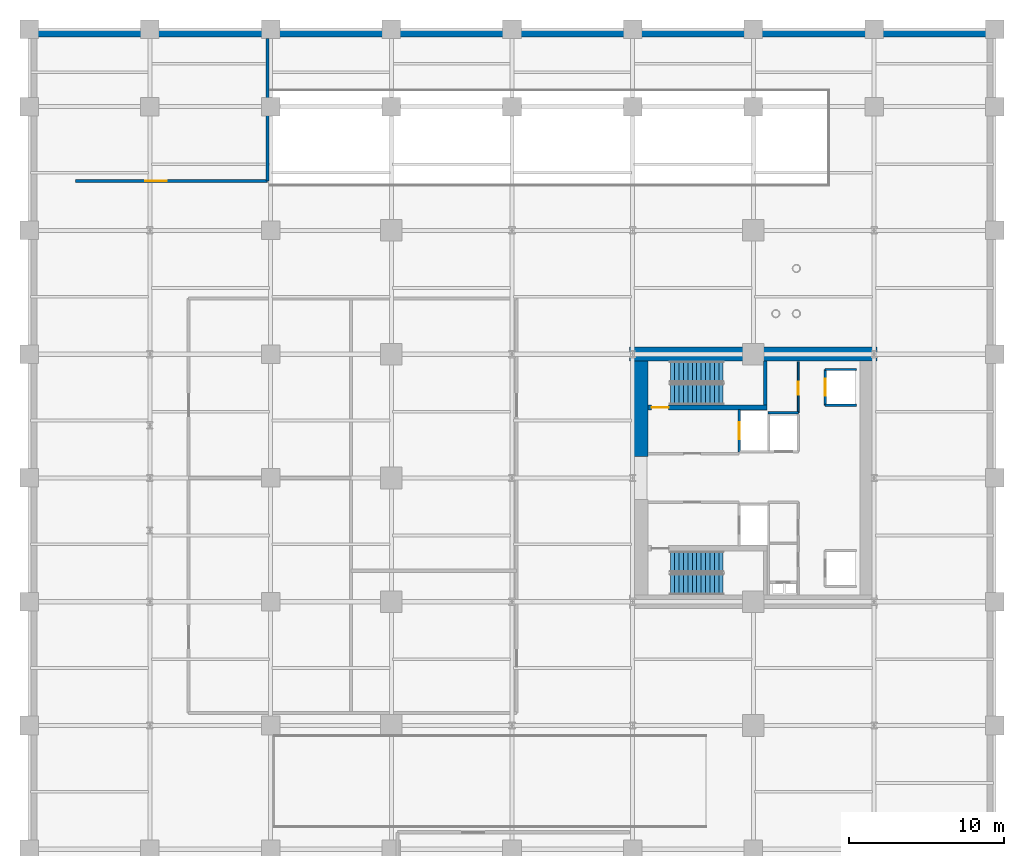
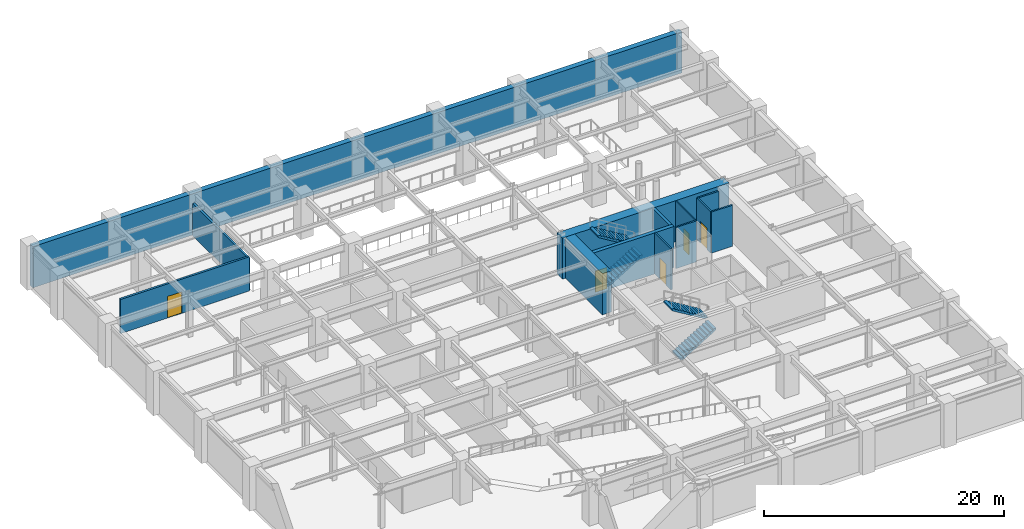
# One storey, part 7 of 10: 13 walls, 5 doors, 4 stair flights, 5 openings, 2 elements without a shape of their own.
"""IFC4 building model written with IfcOpenShell, lengths in metres."""

from ifc_helpers import new_model, si_unit, direction, frame, frame_2d, origin, place, context, subcontext, project, spatial, polyline, rectangle, outline, extrude, material, layer, layer_set, type_object, element, fill, aggregate, save


model = new_model("IFC4")

# Units and contexts
model_context = context("Model", 3, precision=1e-05, world=origin(), true_north=direction((0.0, 1.0)))
body_context = subcontext(model_context, "Body", "Model", "MODEL_VIEW")
ifc_project = project(units=[si_unit("LENGTHUNIT", "METRE"), si_unit("AREAUNIT", "SQUARE_METRE"), si_unit("VOLUMEUNIT", "CUBIC_METRE"), si_unit("PLANEANGLEUNIT", "RADIAN"), si_unit("MASSUNIT", "GRAM", prefix="KILO")], contexts=[model_context])

# Site, building, storey
site_placement = place(None, origin())
site = spatial("IfcSite", under=ifc_project, at=site_placement, CompositionType="ELEMENT")
building_placement = place(site_placement, origin())
building = spatial("IfcBuilding", under=site, at=building_placement, Name="Veymaron Broadcast Tower", CompositionType="ELEMENT")
storey_placement = place(building_placement, frame((0.0, 0.0, -4.5)))
storey = spatial("IfcBuildingStorey", under=building, at=storey_placement, Name="B1", CompositionType="ELEMENT", Elevation=-4.5)

# Wall, opening, door
ifc_material_1 = material(Name="Concrete C40/50", Category="concrete")
ifc_layer_1 = layer(ifc_material_1, 0.199951171875)
ifc_layer_set_1 = layer_set([ifc_layer_1], Name="Concrete C40/50")
wall_type_1 = type_object("IfcWallType", Name="WALL-BLK-200", PredefinedType="SOLIDWALL", material=ifc_layer_set_1)
wall_1_placement = place(storey_placement, frame((3.0, 43.199951171875, 0.0), z_axis=(0.0, 0.0, 1.0), x_axis=(1.0, 0.0, 0.0)))
wall_1 = element("IfcWall", 1, at=wall_1_placement, inside=storey, type_object=wall_type_1, Name="B1 partition IW-B1-VN-S", PredefinedType="SOLIDWALL", context=body_context, shape_type="SweptSolid", body=[
    extrude(rectangle(XDim=12.39990234375, YDim=0.199951171875, at=frame_2d((6.199951171875, 0.0))), origin(), (0.0, 0.0, 1.0), 3.47509765625),
])
opening_1_placement = place(wall_1_placement, frame((4.5, 0.0, 0.0)))
opening_1 = element("IfcOpeningElement", 2, at=opening_1_placement, cuts=wall_1, Name="Opening ID-PL1", PredefinedType="OPENING", context=body_context, shape_type="SweptSolid", body=[
    extrude(rectangle(XDim=1.39990234375, YDim=2.199951171875, at=frame_2d((0.699951171875, 1.10009765625))), frame((0.0, 0.10986328125, 0.0), z_axis=(0.0, -1.0, 0.0), x_axis=(1.0, 0.0, 0.0)), (0.0, 0.0, 1.0), 0.219970703125),
])
ifc_material_2 = material(Name="Heavy-duty acoustic galvanized steel", Category="steel")
door_type_1 = type_object("IfcDoorType", Name="DOOR-PLANT-1400", OperationType="DOUBLE_DOOR_SINGLE_SWING", PredefinedType="DOOR", material=ifc_material_2)
door_1_placement = place(opening_1_placement, origin())
door_1 = element("IfcDoor", 3, at=door_1_placement, inside=storey, type_object=door_type_1, Name="B1 door DR-B1-VN", OperationType="SINGLE_SWING_LEFT", OverallHeight=2.199951171875, OverallWidth=1.39990234375, PredefinedType="DOOR", context=body_context, shape_type="SweptSolid", body=[
    extrude(rectangle(XDim=1.39990234375, YDim=2.199951171875, at=frame_2d((0.699951171875, 1.10009765625))), frame((0.0, 0.02490234375, 0.0), z_axis=(0.0, -1.0, 0.0), x_axis=(1.0, 0.0, 0.0)), (0.0, 0.0, 1.0), 0.050048828125),
])
fill(opening_1, door_1)

# Wall
wall_2_placement = place(storey_placement, frame((15.39990234375, 43.199951171875, 0.0), z_axis=(0.0, 0.0, 1.0), x_axis=(0.0, 1.0, 0.0)))
element("IfcWall", 4, at=wall_2_placement, inside=storey, type_object=wall_type_1, Name="B1 partition IW-B1-VN-E", PredefinedType="SOLIDWALL", context=body_context, shape_type="SweptSolid", body=[
    extrude(rectangle(XDim=9.199951171875, YDim=0.199951171875, at=frame_2d((4.60009765625, 0.0))), origin(), (0.0, 0.0, 1.0), 3.298095703125),
])

# Wall, opening, door
ifc_material_3 = material(Name="Gypsum fireboard and steel stud framing", Category="steel")
ifc_layer_2 = layer(ifc_material_3, 0.14990234375)
ifc_layer_set_2 = layer_set([ifc_layer_2], Name="Gypsum fireboard and steel stud framing")
wall_type_2 = type_object("IfcWallType", Name="WALL-FIRE-150", PredefinedType="PARTITIONING", material=ifc_layer_set_2)
wall_3_placement = place(storey_placement, frame((45.89501953125, 25.68994140625, 0.0), z_axis=(0.0, 0.0, 1.0), x_axis=(0.0, 1.0, 0.0)))
wall_3 = element("IfcWall", 5, at=wall_3_placement, inside=storey, type_object=wall_type_2, Name="B1 partition IW-B1-SHW-FFL-1", PredefinedType="PARTITIONING", context=body_context, shape_type="SweptSolid", body=[
    extrude(rectangle(XDim=2.719970703125, YDim=0.14990234375, at=frame_2d((1.35986328125, 0.0))), origin(), (0.0, 0.0, 1.0), 4.179931640625),
])
opening_2_placement = place(wall_3_placement, frame((0.81005859375, 0.0, 0.0)))
opening_2 = element("IfcOpeningElement", 6, at=opening_2_placement, cuts=wall_3, Name="Opening LD", PredefinedType="OPENING", context=body_context, shape_type="SweptSolid", body=[
    extrude(rectangle(XDim=1.10009765625, YDim=2.14990234375, at=frame_2d((0.550048828125, 1.074951171875))), frame((0.0, 0.0849609375, 0.0), z_axis=(0.0, -1.0, 0.0), x_axis=(1.0, 0.0, 0.0)), (0.0, 0.0, 1.0), 0.169921875),
])
ifc_material_4 = material(Name="Brushed stainless steel AISI 304", Category="steel")
door_type_2 = type_object("IfcDoorType", Name="DOOR-LIFT-1100", OperationType="DOUBLE_DOOR_SLIDING", PredefinedType="DOOR", material=ifc_material_4)
door_2_placement = place(opening_2_placement, frame((1.10009765625, 0.0, 0.0), z_axis=(0.0, 0.0, 1.0), x_axis=(-1.0, 0.0, 0.0)))
door_2 = element("IfcDoor", 7, at=door_2_placement, inside=storey, type_object=door_type_2, Name="B1 door LD-B1-FFL-1", OperationType="DOUBLE_DOOR_SLIDING", OverallHeight=2.14990234375, OverallWidth=1.10009765625, PredefinedType="DOOR", context=body_context, shape_type="SweptSolid", body=[
    extrude(rectangle(XDim=1.10009765625, YDim=2.14990234375, at=frame_2d((0.550048828125, 1.074951171875))), frame((0.0, 0.02490234375, 0.0), z_axis=(0.0, -1.0, 0.0), x_axis=(1.0, 0.0, 0.0)), (0.0, 0.0, 1.0), 0.050048828125),
])
fill(opening_2, door_2)

wall_4_placement = place(storey_placement, frame((51.445068359375, 28.68994140625, 0.0), z_axis=(0.0, 0.0, 1.0), x_axis=(0.0, 1.0, 0.0)))
wall_4 = element("IfcWall", 8, at=wall_4_placement, inside=storey, type_object=wall_type_2, Name="B1 partition IW-B1-SHW-PL1", PredefinedType="PARTITIONING", context=body_context, shape_type="SweptSolid", body=[
    extrude(rectangle(XDim=2.320068359375, YDim=0.14990234375, at=frame_2d((1.16015625, 0.0))), origin(), (0.0, 0.0, 1.0), 4.179931640625),
])
opening_3_placement = place(wall_4_placement, frame((0.610107421875, 0.0, 0.0)))
opening_3 = element("IfcOpeningElement", 9, at=opening_3_placement, cuts=wall_4, Name="Opening LD", PredefinedType="OPENING", context=body_context, shape_type="SweptSolid", body=[
    extrude(rectangle(XDim=1.10009765625, YDim=2.14990234375, at=frame_2d((0.550048828125, 1.074951171875))), frame((0.0, 0.0849609375, 0.0), z_axis=(0.0, -1.0, 0.0), x_axis=(1.0, 0.0, 0.0)), (0.0, 0.0, 1.0), 0.169921875),
])
door_3_placement = place(opening_3_placement, frame((1.10009765625, 0.0, 0.0), z_axis=(0.0, 0.0, 1.0), x_axis=(-1.0, 0.0, 0.0)))
door_3 = element("IfcDoor", 10, at=door_3_placement, inside=storey, type_object=door_type_2, Name="B1 door LD-B1-PL1", OperationType="DOUBLE_DOOR_SLIDING", OverallHeight=2.14990234375, OverallWidth=1.10009765625, PredefinedType="DOOR", context=body_context, shape_type="SweptSolid", body=[
    extrude(rectangle(XDim=1.10009765625, YDim=2.14990234375, at=frame_2d((0.550048828125, 1.074951171875))), frame((0.0, 0.02490234375, 0.0), z_axis=(0.0, -1.0, 0.0), x_axis=(1.0, 0.0, 0.0)), (0.0, 0.0, 1.0), 0.050048828125),
])
fill(opening_3, door_3)

# Walls
for number, where, z_axis, x_axis, name in (
    (11, (51.445068359375, 28.68994140625, 0.0), (0.0, 0.0, 1.0), (1.0, 0.0, 0.0), "B1 partition IW-B1-SHS-PL1"),
    (12, (51.445068359375, 31.010009765625, 0.0), (0.0, 0.0, 1.0), (1.0, 0.0, 0.0), "B1 partition IW-B1-SHN-PL1"),
):
    element("IfcWall", number, at=place(storey_placement, frame(where, z_axis=z_axis, x_axis=x_axis)), inside=storey, type_object=wall_type_2, Name=name, PredefinedType="PARTITIONING", context=body_context, shape_type="SweptSolid", body=[
        extrude(rectangle(XDim=2.014892578125, YDim=0.14990234375, at=frame_2d((1.00732421875, 0.0))), origin(), (0.0, 0.0, 1.0), 4.179931640625),
    ])
wall_5_placement = place(storey_placement, frame((47.760009765625, 28.219970703125, 0.0), z_axis=(0.0, 0.0, 1.0), x_axis=(1.0, 0.0, 0.0)))
element("IfcWall", 13, at=wall_5_placement, inside=storey, type_object=wall_type_2, Name="B1 partition IW-B1-NM-S", PredefinedType="PARTITIONING", context=body_context, shape_type="SweptSolid", body=[
    extrude(rectangle(XDim=1.9599609375, YDim=0.14990234375, at=frame_2d((0.97998046875, 0.0))), origin(), (0.0, 0.0, 1.0), 4.179931640625),
])

# Wall, opening, door
ifc_material_5 = material(Name="Acoustic gypsum board and galvanized stud", Category="gypsum")
ifc_layer_3 = layer(ifc_material_5, 0.1201171875)
ifc_layer_set_3 = layer_set([ifc_layer_3], Name="Acoustic gypsum board and galvanized stud")
wall_type_3 = type_object("IfcWallType", Name="WALL-PART-120", PredefinedType="PARTITIONING", material=ifc_layer_set_3)
wall_6_placement = place(storey_placement, frame((49.699951171875, 28.219970703125, 0.0), z_axis=(0.0, 0.0, 1.0), x_axis=(0.0, 1.0, 0.0)))
wall_6 = element("IfcWall", 14, at=wall_6_placement, inside=storey, type_object=wall_type_3, Name="B1 partition IW-B1-NM-E", PredefinedType="PARTITIONING", context=body_context, shape_type="SweptSolid", body=[
    extrude(rectangle(XDim=3.300048828125, YDim=0.1201171875, at=frame_2d((1.64990234375, 0.0))), origin(), (0.0, 0.0, 1.0), 4.179931640625),
])
opening_4_placement = place(wall_6_placement, frame((1.14990234375, 0.0, 0.0)))
opening_4 = element("IfcOpeningElement", 15, at=opening_4_placement, cuts=wall_6, Name="Opening ID-WC1", PredefinedType="OPENING", context=body_context, shape_type="SweptSolid", body=[
    extrude(rectangle(XDim=0.85009765625, YDim=2.14990234375, at=frame_2d((0.425048828125, 1.074951171875))), frame((0.0, 0.070068359375, 0.0), z_axis=(0.0, -1.0, 0.0), x_axis=(1.0, 0.0, 0.0)), (0.0, 0.0, 1.0), 0.14013671875),
])
ifc_material_6 = material(Name="Moisture-resistant high-pressure laminate timber", Category="wood")
door_type_3 = type_object("IfcDoorType", Name="DOOR-INT-850", OperationType="NOTDEFINED", PredefinedType="DOOR", material=ifc_material_6)
door_4_placement = place(opening_4_placement, frame((0.85009765625, 0.0, 0.0), z_axis=(0.0, 0.0, 1.0), x_axis=(-1.0, 0.0, 0.0)))
door_4 = element("IfcDoor", 16, at=door_4_placement, inside=storey, type_object=door_type_3, Name="B1 door DR-B1-NMR", OperationType="SINGLE_SWING_LEFT", OverallHeight=2.14990234375, OverallWidth=0.85009765625, PredefinedType="DOOR", context=body_context, shape_type="SweptSolid", body=[
    extrude(rectangle(XDim=0.85009765625, YDim=2.14990234375, at=frame_2d((0.425048828125, 1.074951171875))), frame((0.0, 0.02490234375, 0.0), z_axis=(0.0, -1.0, 0.0), x_axis=(1.0, 0.0, 0.0)), (0.0, 0.0, 1.0), 0.050048828125),
])
fill(opening_4, door_4)

# Walls
ifc_material_7 = material(Name="Concrete C50/60", Category="concrete")
ifc_layer_4 = layer(ifc_material_7, 0.5)
ifc_layer_set_4 = layer_set([ifc_layer_4], Name="Concrete C50/60")
wall_type_4 = type_object("IfcWallType", Name="WALL-RET-500", PredefinedType="USERDEFINED", material=ifc_layer_set_4)
wall_7_placement = place(storey_placement, frame((62.39990234375, 52.75, 0.0), z_axis=(0.0, 0.0, 1.0), x_axis=(-1.0, 0.0, 0.0)))
element("IfcWall", 17, at=wall_7_placement, inside=storey, type_object=wall_type_4, Name="B1 retaining wall N", ObjectType="RETAININGWALL", PredefinedType="USERDEFINED", context=body_context, shape_type="SweptSolid", body=[
    extrude(rectangle(XDim=62.39990234375, YDim=0.5, at=frame_2d((31.199951171875, 0.0))), origin(), (0.0, 0.0, 1.0), 4.179931640625),
])
ifc_layer_5 = layer(ifc_material_7, 0.25)
ifc_layer_set_5 = layer_set([ifc_layer_5], Name="Concrete C50/60")
wall_type_5 = type_object("IfcWallType", Name="WALL-SHEAR-250", PredefinedType="SHEAR", material=ifc_layer_set_5)
wall_8_placement = place(storey_placement, frame((47.56494140625, 28.72998046875, 0.0), z_axis=(0.0, 0.0, 1.0), x_axis=(0.0, 1.0, 0.0)))
element("IfcWall", 18, at=wall_8_placement, inside=storey, type_object=wall_type_5, Name="B1 Core Wall north stair east shear", PredefinedType="SHEAR", context=body_context, shape_type="SweptSolid", body=[
    extrude(rectangle(XDim=2.820068359375, YDim=0.25, at=frame_2d((1.41015625, 0.0))), origin(), (0.0, 0.0, 1.0), 4.179931640625),
])

# Wall, opening, door
ifc_layer_6 = layer(ifc_material_7, 0.35009765625)
ifc_layer_set_6 = layer_set([ifc_layer_6], Name="Concrete C50/60")
wall_type_6 = type_object("IfcWallType", Name="WALL-SHEAR-350", PredefinedType="SHEAR", material=ifc_layer_set_6)
wall_9_placement = place(storey_placement, frame((39.97998046875, 28.554931640625, 0.0), z_axis=(0.0, 0.0, 1.0), x_axis=(1.0, 0.0, 0.0)))
wall_9 = element("IfcWall", 19, at=wall_9_placement, inside=storey, type_object=wall_type_6, Name="B1 Core Wall north stair spine", PredefinedType="SHEAR", context=body_context, shape_type="SweptSolid", body=[
    extrude(rectangle(XDim=7.7099609375, YDim=0.35009765625, at=frame_2d((3.85498046875, 0.0))), origin(), (0.0, 0.0, 1.0), 4.179931640625),
])
opening_5_placement = place(wall_9_placement, frame((0.25, 0.0, 0.0)))
opening_5 = element("IfcOpeningElement", 20, at=opening_5_placement, cuts=wall_9, Name="Opening ID-ST1", PredefinedType="OPENING", context=body_context, shape_type="SweptSolid", body=[
    extrude(rectangle(XDim=1.10009765625, YDim=2.14990234375, at=frame_2d((0.550048828125, 1.074951171875))), frame((0.0, 0.18505859375, 0.0), z_axis=(0.0, -1.0, 0.0), x_axis=(1.0, 0.0, 0.0)), (0.0, 0.0, 1.0), 0.3701171875),
])
ifc_material_8 = material(Name="Fire-rated painted hollow steel ASTM A653", Category="steel")
door_type_4 = type_object("IfcDoorType", Name="DOOR-STAIR-1100", OperationType="NOTDEFINED", PredefinedType="DOOR", material=ifc_material_8)
door_5_placement = place(opening_5_placement, origin())
door_5 = element("IfcDoor", 21, at=door_5_placement, inside=storey, type_object=door_type_4, Name="B1 exit stair ST1 fire door", OperationType="SINGLE_SWING_RIGHT", OverallHeight=2.14990234375, OverallWidth=1.10009765625, PredefinedType="DOOR", context=body_context, shape_type="SweptSolid", body=[
    extrude(rectangle(XDim=1.10009765625, YDim=2.14990234375, at=frame_2d((0.550048828125, 1.074951171875))), frame((0.0, 0.02490234375, 0.0), z_axis=(0.0, -1.0, 0.0), x_axis=(1.0, 0.0, 0.0)), (0.0, 0.0, 1.0), 0.050048828125),
])
fill(opening_5, door_5)

# Walls
ifc_material_9 = material(Name="Concrete C70/85", Category="concrete")
ifc_layer_7 = layer(ifc_material_9, 0.89990234375)
ifc_layer_set_7 = layer_set([ifc_layer_7], Name="Concrete C70/85")
wall_type_7 = type_object("IfcWallType", Name="WALL-SHEAR-900", PredefinedType="SHEAR", material=ifc_layer_set_7)
wall_10_placement = place(storey_placement, frame((38.800048828125, 32.0, 0.0), z_axis=(0.0, 0.0, 1.0), x_axis=(1.0, 0.0, 0.0)))
element("IfcWall", 22, at=wall_10_placement, inside=storey, type_object=wall_type_7, Name="B1 Core Wall north shear", PredefinedType="SHEAR", context=body_context, shape_type="SweptSolid", body=[
    extrude(rectangle(XDim=16.0, YDim=0.89990234375, at=frame_2d((8.0, 0.0))), origin(), (0.0, 0.0, 1.0), 4.179931640625),
])
wall_11_placement = place(storey_placement, frame((39.530029296875, 25.39990234375, 0.0), z_axis=(0.0, 0.0, 1.0), x_axis=(0.0, 1.0, 0.0)))
element("IfcWall", 23, at=wall_11_placement, inside=storey, type_object=wall_type_7, Name="B1 Core Wall west-north shear", PredefinedType="SHEAR", context=body_context, shape_type="SweptSolid", body=[
    extrude(rectangle(XDim=6.150146484375, YDim=0.89990234375, at=frame_2d((3.0751953125, 0.0))), origin(), (0.0, 0.0, 1.0), 4.179931640625),
])

# Stair, stair flights
stair_type_1 = type_object("IfcStairType", Name="STAIR-CORE-1", PredefinedType="HALF_TURN_STAIR", material=ifc_material_7)
stair_1_placement = place(storey_placement, origin())
stair_1 = element("IfcStair", 24, at=stair_1_placement, inside=storey, type_object=stair_type_1, Name="B1 North protected dog-leg exit stair ST1", PredefinedType="HALF_TURN_STAIR")
ifc_material_10 = material(Name="Precast concrete C50/60", Category="concrete")
stair_flight_type = type_object("IfcStairFlightType", Name="FLT-CORE-RC", PredefinedType="STRAIGHT", material=ifc_material_10)
stair_flight_1_placement = place(storey_placement, frame((41.429931640625, 29.419921875, 0.0), z_axis=(0.0, 0.0, 1.0), x_axis=(1.0, 0.0, 0.0)))
stair_flight_1 = element("IfcStairFlight", 25, at=stair_flight_1_placement, type_object=stair_flight_type, Name="ST1 flight 1", NumberOfRisers=13, NumberOfTreads=12, PredefinedType="STRAIGHT", RiserHeight=0.173076923, TreadLength=0.285, context=body_context, shape_type="SweptSolid", body=[
    extrude(outline(polyline([(0.0, 0.0), (0.0, 0.173095703125), (0.284912109375, 0.173095703125), (0.284912109375, 0.34619140625), (0.570068359375, 0.34619140625), (0.570068359375, 0.519287109375), (0.85498046875, 0.519287109375), (0.85498046875, 0.6923828125), (1.139892578125, 0.6923828125), (1.139892578125, 0.865478515625), (1.425048828125, 0.865478515625), (1.425048828125, 1.03857421875), (1.7099609375, 1.03857421875), (1.7099609375, 1.21142578125), (1.9951171875, 1.21142578125), (1.9951171875, 1.384521484375), (2.280029296875, 1.384521484375), (2.280029296875, 1.5576171875), (2.56494140625, 1.5576171875), (2.56494140625, 1.730712890625), (2.85009765625, 1.730712890625), (2.85009765625, 1.90380859375), (3.135009765625, 1.90380859375), (3.135009765625, 2.076904296875), (3.419921875, 2.076904296875), (3.419921875, 2.25), (3.419921875, 1.901611328125), (0.288818359375, 0.0), (0.0, 0.0)])), frame((0.0, 0.68994140625, 0.0), z_axis=(0.0, -1.0, 0.0), x_axis=(1.0, 0.0, 0.0)), (0.0, 0.0, 1.0), 1.3798828125),
])
stair_flight_2_placement = place(storey_placement, frame((44.85009765625, 30.860107421875, 2.25), z_axis=(0.0, 0.0, 1.0), x_axis=(-1.0, 0.0, 0.0)))
stair_flight_2 = element("IfcStairFlight", 26, at=stair_flight_2_placement, type_object=stair_flight_type, Name="ST1 flight 2", NumberOfRisers=13, NumberOfTreads=12, PredefinedType="STRAIGHT", RiserHeight=0.173076923, TreadLength=0.285, context=body_context, shape_type="SweptSolid", body=[
    extrude(outline(polyline([(0.0, 0.0), (0.0, 0.173095703125), (0.284912109375, 0.173095703125), (0.284912109375, 0.34619140625), (0.570068359375, 0.34619140625), (0.570068359375, 0.519287109375), (0.85498046875, 0.519287109375), (0.85498046875, 0.6923828125), (1.139892578125, 0.6923828125), (1.139892578125, 0.865478515625), (1.425048828125, 0.865478515625), (1.425048828125, 1.03857421875), (1.7099609375, 1.03857421875), (1.7099609375, 1.21142578125), (1.9951171875, 1.21142578125), (1.9951171875, 1.384521484375), (2.280029296875, 1.384521484375), (2.280029296875, 1.5576171875), (2.56494140625, 1.5576171875), (2.56494140625, 1.730712890625), (2.85009765625, 1.730712890625), (2.85009765625, 1.90380859375), (3.135009765625, 1.90380859375), (3.135009765625, 2.076904296875), (3.419921875, 2.076904296875), (3.419921875, 2.25), (3.419921875, 1.901611328125), (0.288818359375, 0.0), (0.0, 0.0)])), frame((0.0, 0.68994140625, 0.0), z_axis=(0.0, -1.0, 0.0), x_axis=(1.0, 0.0, 0.0)), (0.0, 0.0, 1.0), 1.3798828125),
])
aggregate(stair_1, [stair_flight_1, stair_flight_2])

stair_type_2 = type_object("IfcStairType", Name="STAIR-CORE-2", PredefinedType="HALF_TURN_STAIR", material=ifc_material_7)
stair_2_placement = place(storey_placement, origin())
stair_2 = element("IfcStair", 27, at=stair_2_placement, inside=storey, type_object=stair_type_2, Name="B1 South protected dog-leg exit stair ST2", PredefinedType="HALF_TURN_STAIR")
stair_flight_3_placement = place(storey_placement, frame((41.429931640625, 17.139892578125, 0.0), z_axis=(0.0, 0.0, 1.0), x_axis=(1.0, 0.0, 0.0)))
stair_flight_3 = element("IfcStairFlight", 28, at=stair_flight_3_placement, type_object=stair_flight_type, Name="ST2 flight 1", NumberOfRisers=13, NumberOfTreads=12, PredefinedType="STRAIGHT", RiserHeight=0.173076923, TreadLength=0.285, context=body_context, shape_type="SweptSolid", body=[
    extrude(outline(polyline([(0.0, 0.0), (0.0, 0.173095703125), (0.284912109375, 0.173095703125), (0.284912109375, 0.34619140625), (0.570068359375, 0.34619140625), (0.570068359375, 0.519287109375), (0.85498046875, 0.519287109375), (0.85498046875, 0.6923828125), (1.139892578125, 0.6923828125), (1.139892578125, 0.865478515625), (1.425048828125, 0.865478515625), (1.425048828125, 1.03857421875), (1.7099609375, 1.03857421875), (1.7099609375, 1.21142578125), (1.9951171875, 1.21142578125), (1.9951171875, 1.384521484375), (2.280029296875, 1.384521484375), (2.280029296875, 1.5576171875), (2.56494140625, 1.5576171875), (2.56494140625, 1.730712890625), (2.85009765625, 1.730712890625), (2.85009765625, 1.90380859375), (3.135009765625, 1.90380859375), (3.135009765625, 2.076904296875), (3.419921875, 2.076904296875), (3.419921875, 2.25), (3.419921875, 1.901611328125), (0.288818359375, 0.0), (0.0, 0.0)])), frame((0.0, 0.68994140625, 0.0), z_axis=(0.0, -1.0, 0.0), x_axis=(1.0, 0.0, 0.0)), (0.0, 0.0, 1.0), 1.3798828125),
])
stair_flight_4_placement = place(storey_placement, frame((44.85009765625, 18.580078125, 2.25), z_axis=(0.0, 0.0, 1.0), x_axis=(-1.0, 0.0, 0.0)))
stair_flight_4 = element("IfcStairFlight", 29, at=stair_flight_4_placement, type_object=stair_flight_type, Name="ST2 flight 2", NumberOfRisers=13, NumberOfTreads=12, PredefinedType="STRAIGHT", RiserHeight=0.173076923, TreadLength=0.285, context=body_context, shape_type="SweptSolid", body=[
    extrude(outline(polyline([(0.0, 0.0), (0.0, 0.173095703125), (0.284912109375, 0.173095703125), (0.284912109375, 0.34619140625), (0.570068359375, 0.34619140625), (0.570068359375, 0.519287109375), (0.85498046875, 0.519287109375), (0.85498046875, 0.6923828125), (1.139892578125, 0.6923828125), (1.139892578125, 0.865478515625), (1.425048828125, 0.865478515625), (1.425048828125, 1.03857421875), (1.7099609375, 1.03857421875), (1.7099609375, 1.21142578125), (1.9951171875, 1.21142578125), (1.9951171875, 1.384521484375), (2.280029296875, 1.384521484375), (2.280029296875, 1.5576171875), (2.56494140625, 1.5576171875), (2.56494140625, 1.730712890625), (2.85009765625, 1.730712890625), (2.85009765625, 1.90380859375), (3.135009765625, 1.90380859375), (3.135009765625, 2.076904296875), (3.419921875, 2.076904296875), (3.419921875, 2.25), (3.419921875, 1.901611328125), (0.288818359375, 0.0), (0.0, 0.0)])), frame((0.0, 0.68994140625, 0.0), z_axis=(0.0, -1.0, 0.0), x_axis=(1.0, 0.0, 0.0)), (0.0, 0.0, 1.0), 1.3798828125),
])
aggregate(stair_2, [stair_flight_3, stair_flight_4])

save(model, "model.ifc")
